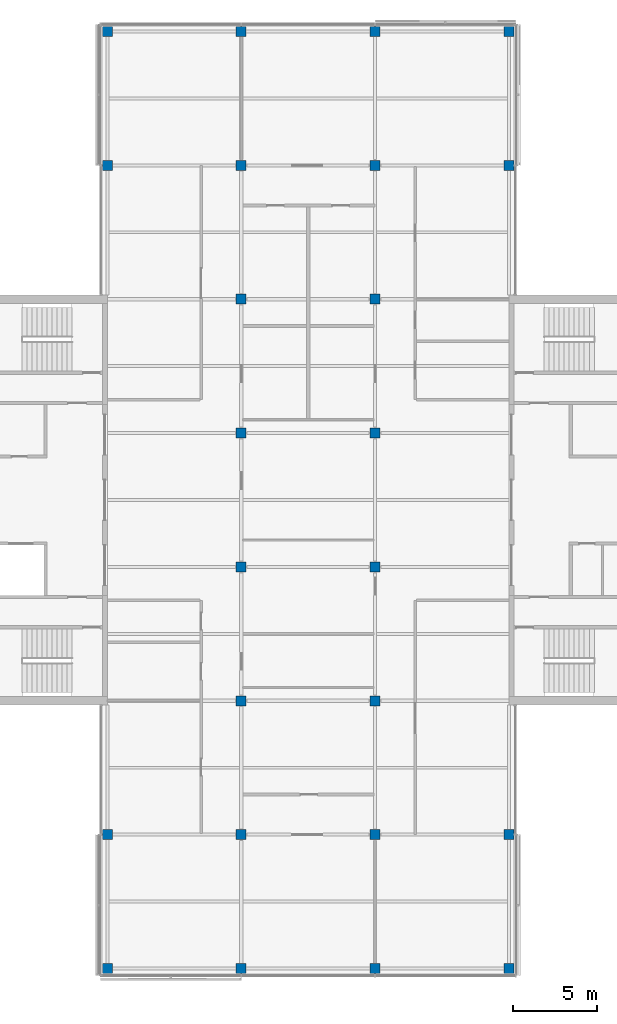
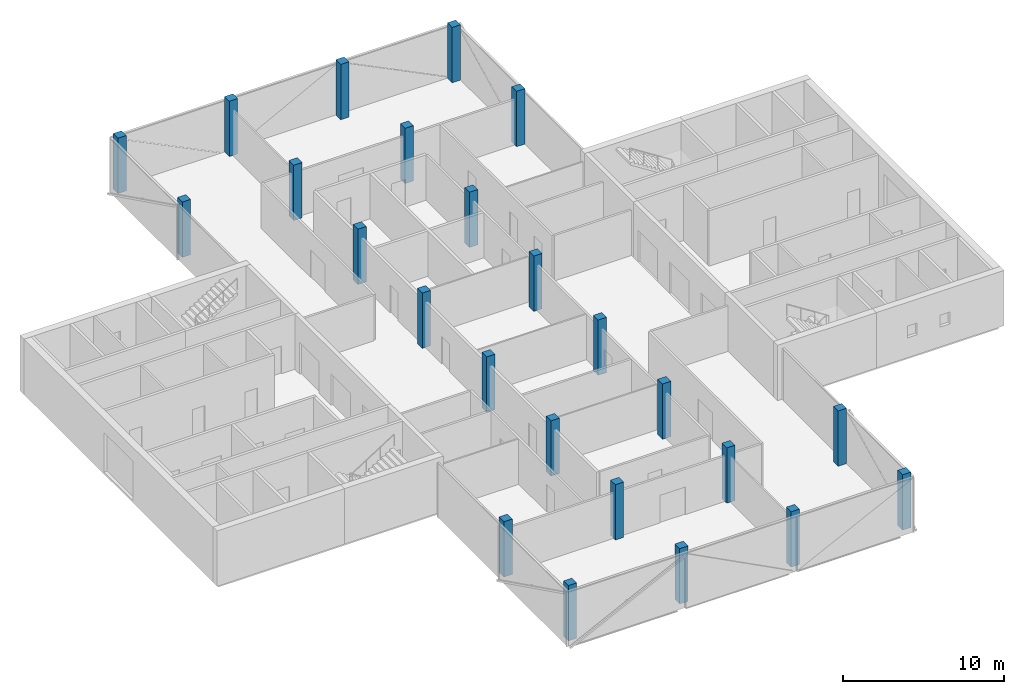
# One storey, part 1 of 16: 24 columns.
"""IFC4 building model written with IfcOpenShell, lengths in metres."""

from ifc_helpers import new_model, si_unit, direction, frame, origin, origin_2d, place, context, subcontext, project, spatial, rectangle, extrude, material, material_profile, profile_set, type_object, element, save


model = new_model("IFC4")

# Units and contexts
model_context = context("Model", 3, precision=1e-05, world=origin(), true_north=direction((0.0, 1.0)))
body_context = subcontext(model_context, "Body", "Model", "MODEL_VIEW")
ifc_project = project(units=[si_unit("LENGTHUNIT", "METRE"), si_unit("AREAUNIT", "SQUARE_METRE"), si_unit("VOLUMEUNIT", "CUBIC_METRE"), si_unit("PLANEANGLEUNIT", "RADIAN"), si_unit("MASSUNIT", "GRAM", prefix="KILO")], contexts=[model_context])

# Site, building, storey
site_placement = place(None, origin())
site = spatial("IfcSite", under=ifc_project, at=site_placement, CompositionType="ELEMENT")
building_placement = place(site_placement, origin())
building = spatial("IfcBuilding", under=site, at=building_placement, Name="Crosswind Convention Tower", CompositionType="ELEMENT")
storey_placement = place(building_placement, frame((0.0, 0.0, 295.5)))
storey = spatial("IfcBuildingStorey", under=building, at=storey_placement, Name="L64", CompositionType="ELEMENT", Elevation=295.5)

# Columns
ifc_material = material(Name="Concrete C60/75", Category="concrete")
ifc_material_profile = material_profile(ifc_material, rectangle(XDim=0.60009765625, YDim=0.60009765625, at=origin_2d()), Name="RC 600X600")
ifc_profile_set = profile_set([ifc_material_profile], Name="Concrete C60/75")
column_type = type_object("IfcColumnType", Name="Column RC 600X600", PredefinedType="COLUMN", material=ifc_profile_set)
for number, where, z_axis, x_axis, name in (
    (1, (113.0, 72.0, 0.0), (0.0, 0.0, 1.0), (1.0, 0.0, 0.0), "C16 L64 5/C"),
    (2, (113.0, 80.0, 0.0), (0.0, 0.0, 1.0), (1.0, 0.0, 0.0), "C16 L64 5/D"),
    (3, (113.0, 120.0, 0.0), (0.0, 0.0, 1.0), (1.0, 0.0, 0.0), "C16 L64 5/I"),
    (4, (113.0, 128.0, 0.0), (0.0, 0.0, 1.0), (1.0, 0.0, 0.0), "C16 L64 5/J"),
    (5, (121.0, 72.0, 0.0), (0.0, 0.0, 1.0), (1.0, 0.0, 0.0), "C16 L64 6/C"),
    (6, (121.0, 80.0, 0.0), (0.0, 0.0, 1.0), (1.0, 0.0, 0.0), "C16 L64 6/D"),
    (7, (121.0, 88.0, 0.0), (0.0, 0.0, 1.0), (1.0, 0.0, 0.0), "C16 L64 6/E"),
    (8, (121.0, 96.0, 0.0), (0.0, 0.0, 1.0), (1.0, 0.0, 0.0), "C16 L64 6/F"),
    (9, (121.0, 104.0, 0.0), (0.0, 0.0, 1.0), (1.0, 0.0, 0.0), "C16 L64 6/G"),
    (10, (121.0, 112.0, 0.0), (0.0, 0.0, 1.0), (1.0, 0.0, 0.0), "C16 L64 6/H"),
    (11, (121.0, 120.0, 0.0), (0.0, 0.0, 1.0), (1.0, 0.0, 0.0), "C16 L64 6/I"),
    (12, (121.0, 128.0, 0.0), (0.0, 0.0, 1.0), (1.0, 0.0, 0.0), "C16 L64 6/J"),
    (13, (129.0, 72.0, 0.0), (0.0, 0.0, 1.0), (1.0, 0.0, 0.0), "C16 L64 7/C"),
    (14, (129.0, 80.0, 0.0), (0.0, 0.0, 1.0), (1.0, 0.0, 0.0), "C16 L64 7/D"),
    (15, (129.0, 88.0, 0.0), (0.0, 0.0, 1.0), (1.0, 0.0, 0.0), "C16 L64 7/E"),
    (16, (129.0, 96.0, 0.0), (0.0, 0.0, 1.0), (1.0, 0.0, 0.0), "C16 L64 7/F"),
    (17, (129.0, 104.0, 0.0), (0.0, 0.0, 1.0), (1.0, 0.0, 0.0), "C16 L64 7/G"),
    (18, (129.0, 112.0, 0.0), (0.0, 0.0, 1.0), (1.0, 0.0, 0.0), "C16 L64 7/H"),
    (19, (129.0, 120.0, 0.0), (0.0, 0.0, 1.0), (1.0, 0.0, 0.0), "C16 L64 7/I"),
    (20, (129.0, 128.0, 0.0), (0.0, 0.0, 1.0), (1.0, 0.0, 0.0), "C16 L64 7/J"),
    (21, (137.0, 72.0, 0.0), (0.0, 0.0, 1.0), (1.0, 0.0, 0.0), "C16 L64 8/C"),
    (22, (137.0, 80.0, 0.0), (0.0, 0.0, 1.0), (1.0, 0.0, 0.0), "C16 L64 8/D"),
    (23, (137.0, 120.0, 0.0), (0.0, 0.0, 1.0), (1.0, 0.0, 0.0), "C16 L64 8/I"),
    (24, (137.0, 128.0, 0.0), (0.0, 0.0, 1.0), (1.0, 0.0, 0.0), "C16 L64 8/J"),
):
    element("IfcColumn", number, at=place(storey_placement, frame(where, z_axis=z_axis, x_axis=x_axis)), inside=storey, type_object=column_type, Name=name, PredefinedType="COLUMN", context=body_context, shape_type="SweptSolid", body=[
        extrude(rectangle(XDim=0.60009765625, YDim=0.60009765625, at=origin_2d()), origin(), (0.0, 0.0, 1.0), 4.199951171875),
    ])

save(model, "model.ifc")
